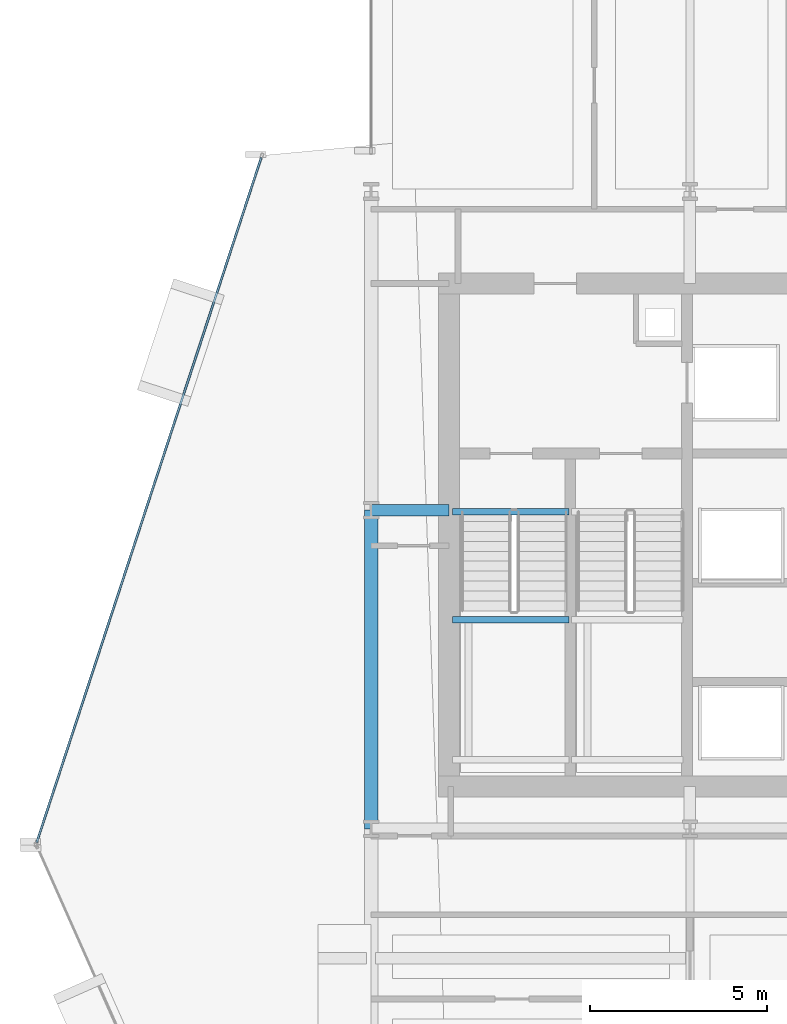
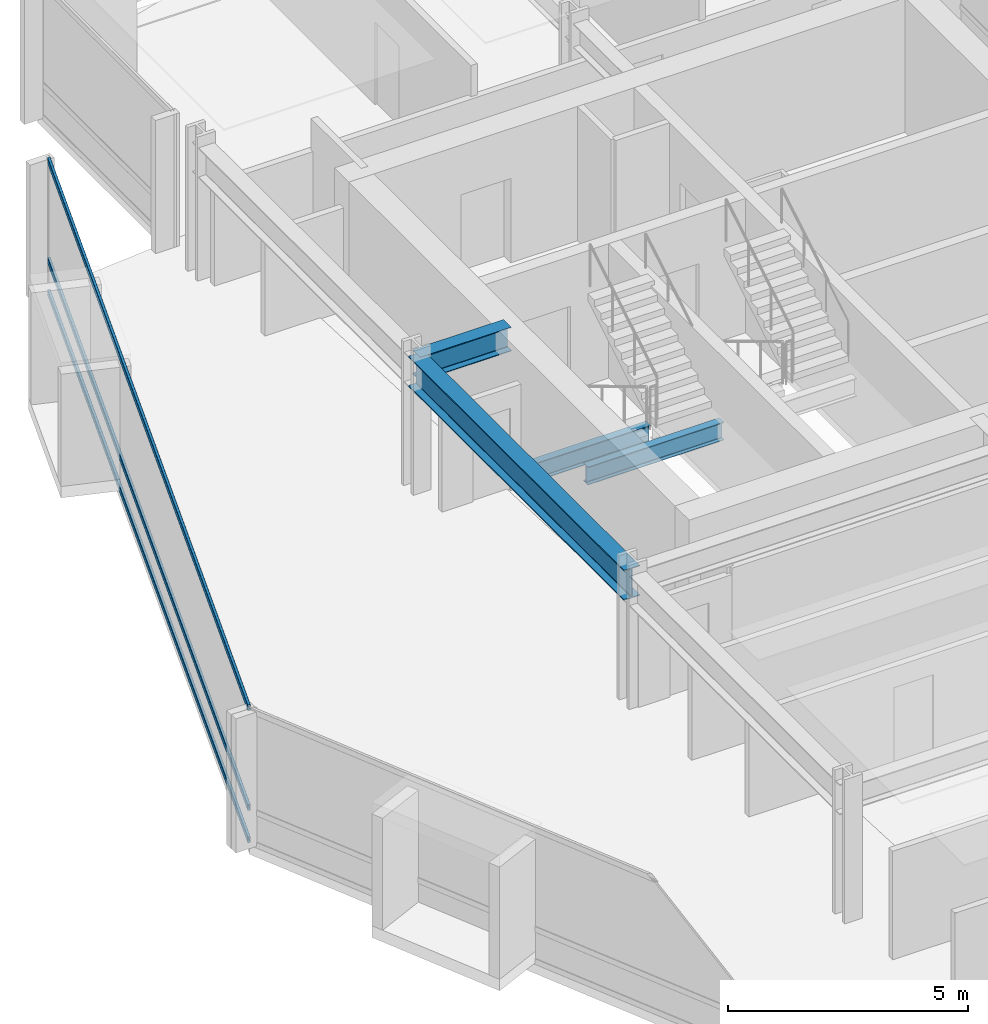
# One storey, part 18 of 34: 4 beams, 3 members, 1 element without a shape of its own.
"""IFC4 building model written with IfcOpenShell, lengths in metres."""

from ifc_helpers import new_model, si_unit, direction, frame, origin, origin_2d, place, context, subcontext, project, spatial, hollow_rectangle, i_section, extrude, material, layer, layer_set, material_profile, profile_set, type_object, element, aggregate, save


model = new_model("IFC4")

# Units and contexts
model_context = context("Model", 3, precision=1e-05, world=origin(), true_north=direction((0.0, 1.0)))
body_context = subcontext(model_context, "Body", "Model", "MODEL_VIEW")
ifc_project = project(units=[si_unit("LENGTHUNIT", "METRE"), si_unit("AREAUNIT", "SQUARE_METRE"), si_unit("VOLUMEUNIT", "CUBIC_METRE"), si_unit("PLANEANGLEUNIT", "RADIAN"), si_unit("MASSUNIT", "GRAM", prefix="KILO")], contexts=[model_context])

# Site, building, storey
site_placement = place(None, origin())
site = spatial("IfcSite", under=ifc_project, at=site_placement, CompositionType="ELEMENT")
building_placement = place(site_placement, origin())
building = spatial("IfcBuilding", under=site, at=building_placement, Name="Solvaryn Broadcast Tower", CompositionType="ELEMENT")
storey_placement = place(building_placement, frame((0.0, 0.0, 39.699951171875)))
storey = spatial("IfcBuildingStorey", under=building, at=storey_placement, Name="L08", CompositionType="ELEMENT", Elevation=39.699951171875)

# Beams
ifc_material_1 = material(Name="Steel ASTM A992 Grade 50", Category="steel")
ifc_material_profile_1 = material_profile(ifc_material_1, i_section(OverallWidth=0.323974609375, OverallDepth=0.611083984375, WebThickness=0.0126953125, FlangeThickness=0.01904296875, FilletRadius=0.014892578125, at=origin_2d()))
ifc_profile_set_1 = profile_set([ifc_material_profile_1], Name="Steel ASTM A992 Grade 50")
beam_type_1 = type_object("IfcBeamType", Name="BM-B1-W24X104", PredefinedType="BEAM", material=ifc_profile_set_1)
beam_1_placement = place(storey_placement, frame((9.0, 36.0, 3.114501953125), z_axis=(1.0, 0.0, 0.0), x_axis=(0.0, 1.0, 0.0)))
element("IfcBeam", 1, at=beam_1_placement, inside=storey, type_object=beam_type_1, Name="L08 Core Tie Beam CTW1", PredefinedType="BEAM", context=body_context, shape_type="SweptSolid", body=[
    extrude(i_section(OverallWidth=0.323974609375, OverallDepth=0.611083984375, WebThickness=0.0126953125, FlangeThickness=0.01904296875, FilletRadius=0.014892578125, at=origin_2d()), origin(), (0.0, 0.0, 1.0), 2.199951171875),
])
ifc_material_2 = material(Name="Steel ASTM A992 Grade 50", Category="steel")
ifc_material_profile_2 = material_profile(ifc_material_2, i_section(OverallWidth=0.18994140625, OverallDepth=0.45703125, WebThickness=0.009033203125, FlangeThickness=0.014404296875, FilletRadius=0.011962890625, at=origin_2d()))
ifc_profile_set_2 = profile_set([ifc_material_profile_2], Name="Steel ASTM A992 Grade 50")
beam_type_2 = type_object("IfcBeamType", Name="BM-B4-W18X50", PredefinedType="BEAM", material=ifc_profile_set_2)
for number, where, z_axis, x_axis, name in (
    (2, (11.300048828125, 35.9599609375, -0.508544921875), (1.0, 0.0, 0.0), (0.0, 1.0, 0.0), "L08 ST1 Stair Well Trimmer Beam"),
    (3, (11.300048828125, 32.909912109375, 1.421630859375), (1.0, 0.0, 0.0), (0.0, 1.0, 0.0), "L08 ST1 Landing Support Beam 1B"),
):
    element("IfcBeam", number, at=place(storey_placement, frame(where, z_axis=z_axis, x_axis=x_axis)), inside=storey, type_object=beam_type_2, Name=name, PredefinedType="BEAM", context=body_context, shape_type="SweptSolid", body=[
        extrude(i_section(OverallWidth=0.18994140625, OverallDepth=0.45703125, WebThickness=0.009033203125, FlangeThickness=0.014404296875, FilletRadius=0.011962890625, at=origin_2d()), origin(), (0.0, 0.0, 1.0), 3.280029296875),
    ])
ifc_material_3 = material(Name="Steel ASTM A992 Grade 50", Category="steel")
ifc_material_profile_3 = material_profile(ifc_material_3, i_section(OverallWidth=0.381103515625, OverallDepth=0.77294921875, WebThickness=0.0166015625, FlangeThickness=0.027099609375, FilletRadius=0.01806640625, at=origin_2d()))
ifc_profile_set_3 = profile_set([ifc_material_profile_3], Name="Steel ASTM A992 Grade 50")
beam_type_3 = type_object("IfcBeamType", Name="BM-SP1-W30X173", PredefinedType="USERDEFINED", material=ifc_profile_set_3)
beam_2_placement = place(storey_placement, frame((9.0, 27.0, 3.033447265625), z_axis=(0.0, 1.0, 0.0), x_axis=(-1.0, 0.0, 0.0)))
element("IfcBeam", 4, at=beam_2_placement, inside=storey, type_object=beam_type_3, Name="L08 Spandrel Beam Y (27-36 @ X=9)", ObjectType="SPANDREL", PredefinedType="USERDEFINED", context=body_context, shape_type="SweptSolid", body=[
    extrude(i_section(OverallWidth=0.381103515625, OverallDepth=0.77294921875, WebThickness=0.0166015625, FlangeThickness=0.027099609375, FilletRadius=0.01806640625, at=origin_2d()), origin(), (0.0, 0.0, 1.0), 9.0),
])

# Curtain wall, members
ifc_material_4 = material(Name="Aluminium and Terracotta Unitised Curtain Wall", Category="masonry")
ifc_layer = layer(ifc_material_4, 0.199951171875)
ifc_layer_set = layer_set([ifc_layer], Name="CW-SYS2-LOWMID")
curtain_wall_type = type_object("IfcCurtainWallType", Name="CW-SYS2-LOWMID", PredefinedType="NOTDEFINED", material=ifc_layer_set)
curtain_wall_placement = place(storey_placement, origin())
curtain_wall = element("IfcCurtainWall", 5, at=curtain_wall_placement, inside=storey, type_object=curtain_wall_type, Name="L08 Curtain Wall DR1", PredefinedType="NOTDEFINED")
ifc_material_5 = material(Name="Anodised Aluminium 6063-T6", Category="aluminium")
ifc_material_profile_4 = material_profile(ifc_material_5, hollow_rectangle(XDim=0.06494140625, YDim=0.14990234375, WallThickness=0.00390625, InnerFilletRadius=0.00390625, OuterFilletRadius=0.008056640625, at=origin_2d()))
ifc_profile_set_4 = profile_set([ifc_material_profile_4], Name="Anodised Aluminium 6063-T6")
member_type = type_object("IfcMemberType", Name="CW-TRN-150", PredefinedType="USERDEFINED", material=ifc_profile_set_4)
member_1_placement = place(storey_placement, frame((5.897216796875, 45.958984375, 0.030029296875), z_axis=(-0.311589549406, -0.950216792475, 0.0), x_axis=(0.950216792475, -0.311589549406, 0.0)))
member_1 = element("IfcMember", 6, at=member_1_placement, type_object=member_type, Name="CWS2 transom 1.1", ObjectType="TRANSOM", PredefinedType="USERDEFINED", context=body_context, shape_type="SweptSolid", body=[
    extrude(hollow_rectangle(XDim=0.06494140625, YDim=0.14990234375, WallThickness=0.00390625, InnerFilletRadius=0.00390625, OuterFilletRadius=0.008056640625, at=origin_2d()), origin(), (0.0, 0.0, 1.0), 20.35546875),
])
member_2_placement = place(storey_placement, frame((5.897216796875, 45.958984375, 0.85009765625), z_axis=(-0.311589549406, -0.950216792475, 0.0), x_axis=(0.950216792475, -0.311589549406, 0.0)))
member_2 = element("IfcMember", 7, at=member_2_placement, type_object=member_type, Name="CWS2 transom 1.2", ObjectType="TRANSOM", PredefinedType="USERDEFINED", context=body_context, shape_type="SweptSolid", body=[
    extrude(hollow_rectangle(XDim=0.06494140625, YDim=0.14990234375, WallThickness=0.00390625, InnerFilletRadius=0.00390625, OuterFilletRadius=0.008056640625, at=origin_2d()), origin(), (0.0, 0.0, 1.0), 20.35546875),
])
member_3_placement = place(storey_placement, frame((5.897216796875, 45.958984375, 3.39013671875), z_axis=(-0.311589549406, -0.950216792475, 0.0), x_axis=(0.950216792475, -0.311589549406, 0.0)))
member_3 = element("IfcMember", 8, at=member_3_placement, type_object=member_type, Name="CWS2 transom 1.3", ObjectType="TRANSOM", PredefinedType="USERDEFINED", context=body_context, shape_type="SweptSolid", body=[
    extrude(hollow_rectangle(XDim=0.06494140625, YDim=0.14990234375, WallThickness=0.00390625, InnerFilletRadius=0.00390625, OuterFilletRadius=0.008056640625, at=origin_2d()), origin(), (0.0, 0.0, 1.0), 20.35546875),
])
aggregate(curtain_wall, [member_1, member_2, member_3])

save(model, "model.ifc")
